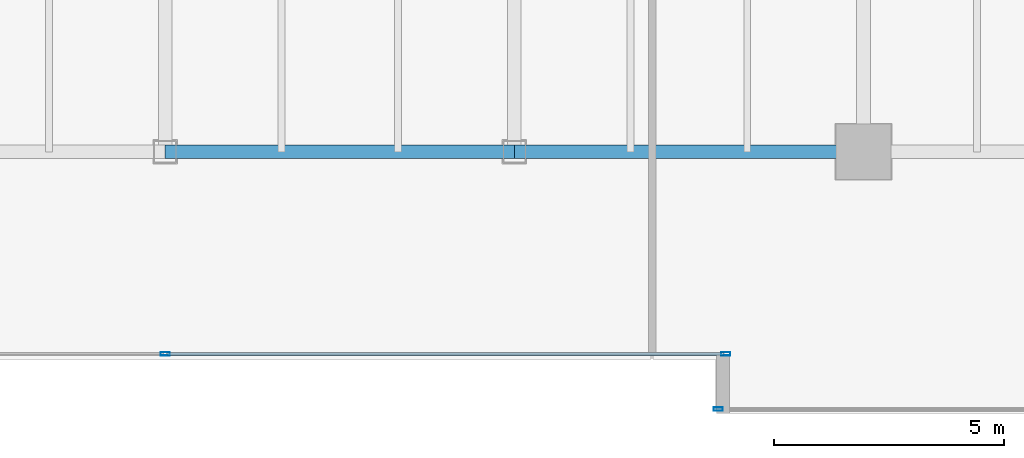
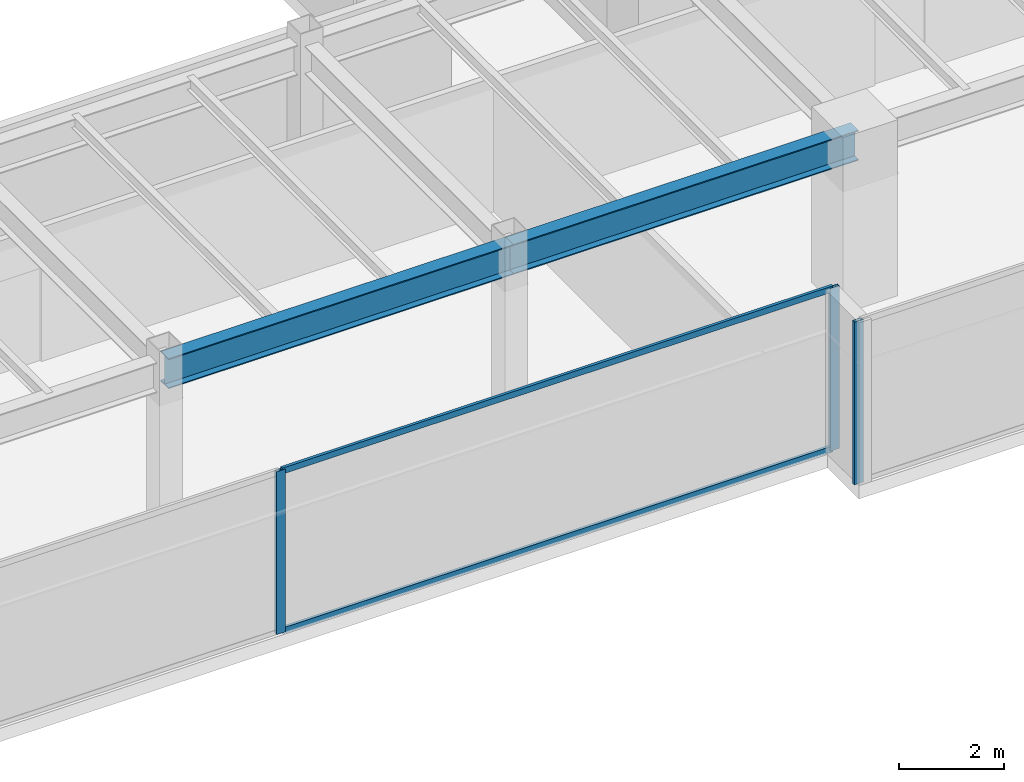
# One storey, part 10 of 33: 5 members, 2 beams, 2 elements without a shape of their own.
"""IFC4 building model written with IfcOpenShell, lengths in metres."""

from ifc_helpers import new_model, si_unit, direction, frame, origin, origin_2d, place, context, subcontext, project, spatial, hollow_rectangle, i_section, extrude, source, transform, mapped, material, layer, layer_set, material_profile, profile_set, type_object, type_shapes, element, aggregate, save


model = new_model("IFC4")

# Units and contexts
model_context = context("Model", 3, precision=1e-05, world=origin(), true_north=direction((0.0, 1.0)))
body_context = subcontext(model_context, "Body", "Model", "MODEL_VIEW")
ifc_project = project(units=[si_unit("LENGTHUNIT", "METRE"), si_unit("AREAUNIT", "SQUARE_METRE"), si_unit("VOLUMEUNIT", "CUBIC_METRE"), si_unit("PLANEANGLEUNIT", "RADIAN"), si_unit("MASSUNIT", "GRAM", prefix="KILO")], contexts=[model_context])

# Site, building, storey
site_placement = place(None, origin())
site = spatial("IfcSite", under=ifc_project, at=site_placement, CompositionType="ELEMENT")
building_placement = place(site_placement, origin())
building = spatial("IfcBuilding", under=site, at=building_placement, Name="Haelvirn Gate Laboratories", CompositionType="ELEMENT")
storey_placement = place(building_placement, frame((0.0, 0.0, 133.800048828125)))
storey = spatial("IfcBuildingStorey", under=building, at=storey_placement, Name="L32", CompositionType="ELEMENT", Elevation=133.800048828125)

# Beams
ifc_material_1 = material(Name="Steel SM355", Category="steel")
ifc_material_profile_1 = material_profile(ifc_material_1, i_section(OverallWidth=0.300048828125, OverallDepth=0.699951171875, WebThickness=0.012939453125, FlangeThickness=0.02392578125, at=origin_2d()), Name="H-700x300x13x24")
ifc_profile_set_1 = profile_set([ifc_material_profile_1], Name="Steel SM355")
beam_type = type_object("IfcBeamType", Name="BM-G-700", PredefinedType="BEAM", material=ifc_profile_set_1)
shared_shape_1 = source(origin(), body_context, "Body", "SweptSolid", [
    extrude(i_section(OverallWidth=0.300048828125, OverallDepth=0.699951171875, WebThickness=0.012939453125, FlangeThickness=0.02392578125, at=origin_2d()), origin(), (0.0, 0.0, 1.0), 7.60009765625),
])
type_shapes(beam_type, [shared_shape_1])
for number, where, z_axis, x_axis, name in (
    (1, (37.39990234375, 7.0, 3.43994140625), (1.0, 0.0, 0.0), (0.0, 1.0, 0.0), "L32 Primary Girder Y7.0 (37.4-45.0)"),
    (2, (45.0, 7.0, 3.43994140625), (1.0, 0.0, 0.0), (0.0, 1.0, 0.0), "L32 Primary Girder Y7.0 (45.0-52.6)"),
):
    element("IfcBeam", number, at=place(storey_placement, frame(where, z_axis=z_axis, x_axis=x_axis)), inside=storey, type_object=beam_type, Name=name, PredefinedType="BEAM", context=body_context, shape_type="MappedRepresentation", body=[
        mapped(shared_shape_1, transform((0.0, 0.0, 0.0), scale=1.0)),
    ])

# Curtain wall, members
ifc_material_2 = material(Name="Anodised bronze unitised aluminium & triple low-E glass", Category="aluminium")
ifc_layer = layer(ifc_material_2, 0.179931640625, Name="CW-SYS-3")
ifc_layer_set = layer_set([ifc_layer], Name="Anodised bronze unitised aluminium & triple low-E glass")
curtain_wall_type = type_object("IfcCurtainWallType", Name="CW-SYS-3", PredefinedType="NOTDEFINED", material=ifc_layer_set)
curtain_wall_1_placement = place(storey_placement, origin())
curtain_wall_1 = element("IfcCurtainWall", 3, at=curtain_wall_1_placement, inside=storey, type_object=curtain_wall_type, Name="L32 Unitised Curtain Wall CW-L32-P0-E02-1", PredefinedType="NOTDEFINED")
ifc_material_3 = material(Name="Extruded aluminium 6063-T6 (anodised bronze)", Category="aluminium")
ifc_material_profile_2 = material_profile(ifc_material_3, hollow_rectangle(XDim=0.06494140625, YDim=0.139892578125, WallThickness=0.00390625, at=origin_2d()), Name="CWT-140x65x4")
ifc_profile_set_2 = profile_set([ifc_material_profile_2], Name="Extruded aluminium 6063-T6 (anodised bronze)")
member_type_1 = type_object("IfcMemberType", Name="CWT-T140", PredefinedType="USERDEFINED", material=ifc_profile_set_2)
shared_shape_2 = source(origin(), body_context, "Body", "SweptSolid", [
    extrude(hollow_rectangle(XDim=0.06494140625, YDim=0.139892578125, WallThickness=0.00390625, at=origin_2d()), origin(), (0.0, 0.0, 1.0), 12.12744140625),
])
type_shapes(member_type_1, [shared_shape_2])
member_1_placement = place(storey_placement, frame((37.4375, 2.60009765625, 0.032470703125), z_axis=(1.0, 0.0, 0.0), x_axis=(0.0, 1.0, 0.0)))
member_1 = element("IfcMember", 4, at=member_1_placement, type_object=member_type_1, Name="CW3 transom 2.1", ObjectType="TRANSOM", PredefinedType="USERDEFINED", context=body_context, shape_type="MappedRepresentation", body=[
    mapped(shared_shape_2, transform((0.0, 0.0, 0.0), scale=1.0)),
])
member_2_placement = place(storey_placement, frame((37.4375, 2.60009765625, 3.757568359375), z_axis=(1.0, 0.0, 0.0), x_axis=(0.0, 1.0, 0.0)))
member_2 = element("IfcMember", 5, at=member_2_placement, type_object=member_type_1, Name="CW3 transom 2.2", ObjectType="TRANSOM", PredefinedType="USERDEFINED", context=body_context, shape_type="MappedRepresentation", body=[
    mapped(shared_shape_2, transform((0.0, 0.0, 0.0), scale=1.0)),
])
ifc_material_profile_3 = material_profile(ifc_material_3, hollow_rectangle(XDim=0.074951171875, YDim=0.199951171875, WallThickness=0.0048828125, at=origin_2d()), Name="CWM-200x75x5")
ifc_profile_set_3 = profile_set([ifc_material_profile_3], Name="Extruded aluminium 6063-T6 (anodised bronze)")
member_type_2 = type_object("IfcMemberType", Name="CWM-T200", PredefinedType="MULLION", material=ifc_profile_set_3)
shared_shape_3 = source(origin(), body_context, "Body", "SweptSolid", [
    extrude(hollow_rectangle(XDim=0.074951171875, YDim=0.199951171875, WallThickness=0.0048828125, at=origin_2d()), origin(), (0.0, 0.0, 1.0), 3.7900390625),
])
type_shapes(member_type_2, [shared_shape_3])
member_3_placement = place(storey_placement, frame((37.39990234375, 2.60009765625, 0.0), z_axis=(0.0, 0.0, 1.0), x_axis=(0.0, 1.0, 0.0)))
member_3 = element("IfcMember", 6, at=member_3_placement, type_object=member_type_2, Name="CW3 mullion 2", PredefinedType="MULLION", context=body_context, shape_type="MappedRepresentation", body=[
    mapped(shared_shape_3, transform((0.0, 0.0, 0.0), scale=1.0)),
])
member_4_placement = place(storey_placement, frame((49.6025390625, 2.60009765625, 0.0), z_axis=(0.0, 0.0, 1.0), x_axis=(0.0, 1.0, 0.0)))
member_4 = element("IfcMember", 7, at=member_4_placement, type_object=member_type_2, Name="CW3 mullion 3", PredefinedType="MULLION", context=body_context, shape_type="MappedRepresentation", body=[
    mapped(shared_shape_3, transform((0.0, 0.0, 0.0), scale=1.0)),
])
aggregate(curtain_wall_1, [member_3, member_4, member_1, member_2])

# Curtain wall, member
curtain_wall_2_placement = place(storey_placement, origin())
curtain_wall_2 = element("IfcCurtainWall", 8, at=curtain_wall_2_placement, inside=storey, type_object=curtain_wall_type, Name="L32 Unitised Curtain Wall CW-L32-P0-E04-1", PredefinedType="NOTDEFINED")
member_5_placement = place(storey_placement, frame((49.4375, 1.39990234375, 0.0), z_axis=(0.0, 0.0, 1.0), x_axis=(0.0, 1.0, 0.0)))
member_5 = element("IfcMember", 9, at=member_5_placement, type_object=member_type_2, Name="CW3 mullion 1", PredefinedType="MULLION", context=body_context, shape_type="MappedRepresentation", body=[
    mapped(shared_shape_3, transform((0.0, 0.0, 0.0), scale=1.0)),
])
aggregate(curtain_wall_2, [member_5])

save(model, "model.ifc")
